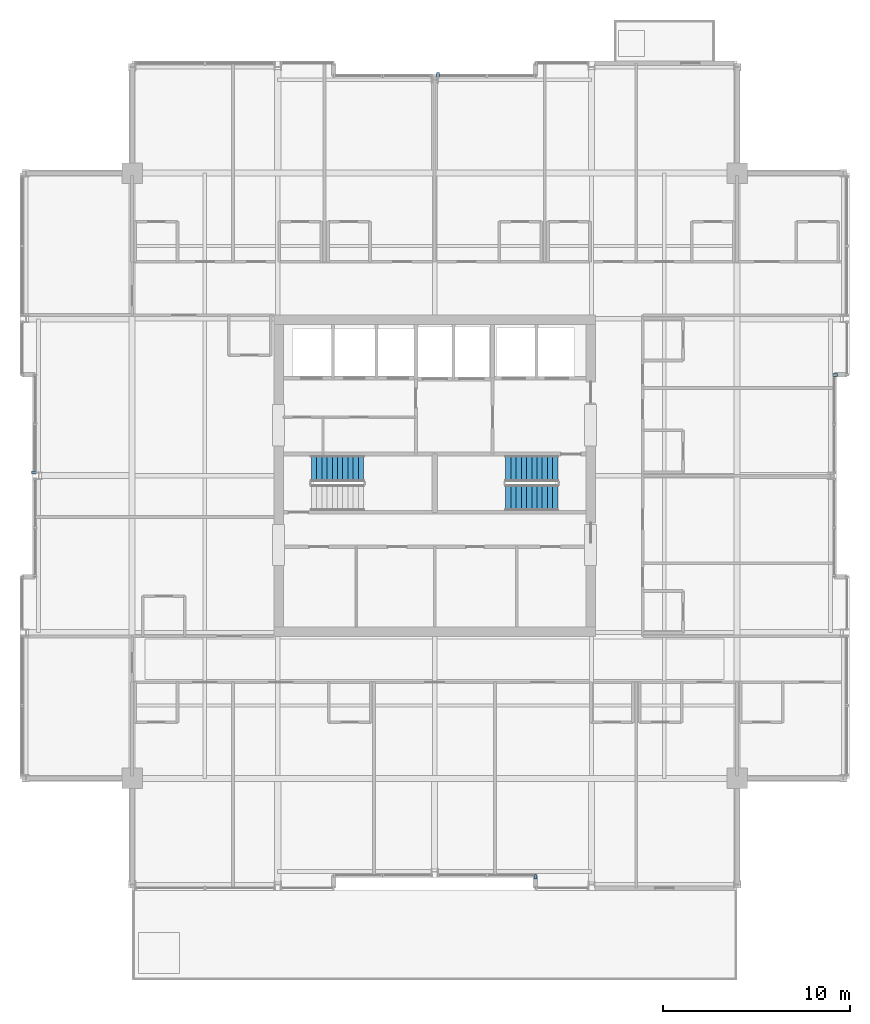
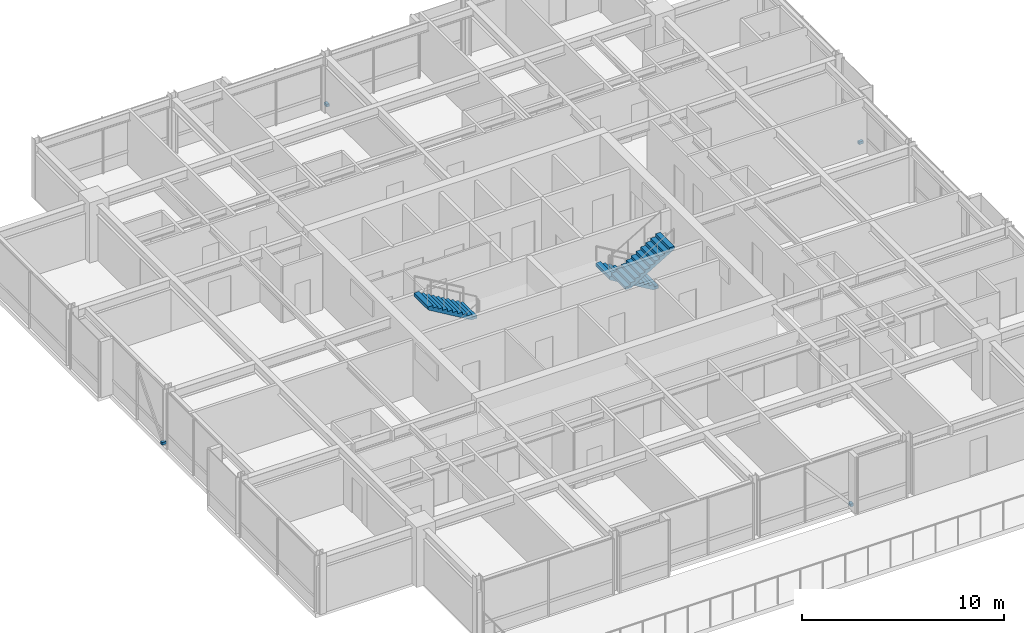
# One storey, part 29 of 32: 4 discrete accessories, 3 stair flights, 2 elements without a shape of their own.
"""IFC4 building model written with IfcOpenShell, lengths in metres."""

from ifc_helpers import new_model, si_unit, direction, frame, origin, origin_2d, place, context, subcontext, project, spatial, polyline, rectangle, outline, extrude, material, type_object, element, aggregate, save


model = new_model("IFC4")

# Units and contexts
model_context = context("Model", 3, precision=1e-05, world=origin(), true_north=direction((0.0, 1.0)))
body_context = subcontext(model_context, "Body", "Model", "MODEL_VIEW")
ifc_project = project(units=[si_unit("LENGTHUNIT", "METRE"), si_unit("AREAUNIT", "SQUARE_METRE"), si_unit("VOLUMEUNIT", "CUBIC_METRE"), si_unit("PLANEANGLEUNIT", "RADIAN"), si_unit("MASSUNIT", "GRAM", prefix="KILO")], contexts=[model_context])

# Site, building, storey
site_placement = place(None, origin())
site = spatial("IfcSite", under=ifc_project, at=site_placement, CompositionType="ELEMENT")
building_placement = place(site_placement, origin())
building = spatial("IfcBuilding", under=site, at=building_placement, Name="Drelvath Grand Hotel", CompositionType="ELEMENT")
storey_placement = place(building_placement, frame((0.0, 0.0, 265.0)))
storey = spatial("IfcBuildingStorey", under=building, at=storey_placement, Name="L69", CompositionType="ELEMENT", Elevation=265.0)

# Stair, stair flight
ifc_material_1 = material(Name="Concrete C40/50", Category="concrete")
stair_type = type_object("IfcStairType", Name="Dogleg Exit Stair W1400-R165.9", PredefinedType="HALF_TURN_STAIR", material=ifc_material_1)
stair_1_placement = place(storey_placement, origin())
stair_1 = element("IfcStair", 1, at=stair_1_placement, inside=storey, type_object=stair_type, Name="L69 Core Exit Stair ST-1", PredefinedType="HALF_TURN_STAIR")
stair_flight_type = type_object("IfcStairFlightType", Name="Concrete Stair Flight W1400-R165.9", PredefinedType="STRAIGHT", material=ifc_material_1)
stair_flight_1_placement = place(storey_placement, frame((-3.800048828125, 27.3798828125, 1.824951171875), z_axis=(0.0, 0.0, 1.0), x_axis=(-1.0, 0.0, 0.0)))
stair_flight_1 = element("IfcStairFlight", 2, at=stair_flight_1_placement, type_object=stair_flight_type, Name="ST-1 flight 2", NumberOfRisers=11, NumberOfTreads=10, PredefinedType="STRAIGHT", RiserHeight=0.165909091, TreadLength=0.28, context=body_context, shape_type="SweptSolid", body=[
    extrude(outline(polyline([(0.0, 0.0), (0.0, 0.166015625), (0.280029296875, 0.166015625), (0.280029296875, 0.331787109375), (0.56005859375, 0.331787109375), (0.56005859375, 0.497802734375), (0.840087890625, 0.497802734375), (0.840087890625, 0.66357421875), (1.1201171875, 0.66357421875), (1.1201171875, 0.82958984375), (1.39990234375, 0.82958984375), (1.39990234375, 0.995361328125), (1.679931640625, 0.995361328125), (1.679931640625, 1.161376953125), (1.9599609375, 1.161376953125), (1.9599609375, 1.327392578125), (2.239990234375, 1.327392578125), (2.239990234375, 1.4931640625), (2.52001953125, 1.4931640625), (2.52001953125, 1.6591796875), (2.800048828125, 1.6591796875), (2.800048828125, 1.824951171875), (2.800048828125, 1.47314453125), (0.313720703125, 0.0), (0.0, 0.0)])), frame((0.0, 0.699951171875, 0.0), z_axis=(0.0, -1.0, 0.0), x_axis=(1.0, 0.0, 0.0)), (0.0, 0.0, 1.0), 1.39990234375),
])
aggregate(stair_1, [stair_flight_1])

# Stair, stair flights
stair_2_placement = place(storey_placement, origin())
stair_2 = element("IfcStair", 3, at=stair_2_placement, inside=storey, type_object=stair_type, Name="L69 Core Exit Stair ST-2", PredefinedType="HALF_TURN_STAIR")
stair_flight_2_placement = place(storey_placement, frame((6.60009765625, 27.3798828125, 0.0), z_axis=(0.0, 0.0, 1.0), x_axis=(-1.0, 0.0, 0.0)))
stair_flight_2 = element("IfcStairFlight", 4, at=stair_flight_2_placement, type_object=stair_flight_type, Name="ST-2 flight 1", NumberOfRisers=11, NumberOfTreads=10, PredefinedType="STRAIGHT", RiserHeight=0.165909091, TreadLength=0.28, context=body_context, shape_type="SweptSolid", body=[
    extrude(outline(polyline([(0.0, 0.0), (0.0, 0.166015625), (0.280029296875, 0.166015625), (0.280029296875, 0.331787109375), (0.56005859375, 0.331787109375), (0.56005859375, 0.497802734375), (0.840087890625, 0.497802734375), (0.840087890625, 0.66357421875), (1.1201171875, 0.66357421875), (1.1201171875, 0.82958984375), (1.39990234375, 0.82958984375), (1.39990234375, 0.995361328125), (1.679931640625, 0.995361328125), (1.679931640625, 1.161376953125), (1.9599609375, 1.161376953125), (1.9599609375, 1.327392578125), (2.239990234375, 1.327392578125), (2.239990234375, 1.4931640625), (2.52001953125, 1.4931640625), (2.52001953125, 1.6591796875), (2.800048828125, 1.6591796875), (2.800048828125, 1.824951171875), (2.800048828125, 1.47314453125), (0.313720703125, 0.0), (0.0, 0.0)])), frame((0.0, 0.699951171875, 0.0), z_axis=(0.0, -1.0, 0.0), x_axis=(1.0, 0.0, 0.0)), (0.0, 0.0, 1.0), 1.39990234375),
])
stair_flight_3_placement = place(storey_placement, frame((3.800048828125, 25.820068359375, 1.824951171875), z_axis=(0.0, 0.0, 1.0), x_axis=(1.0, 0.0, 0.0)))
stair_flight_3 = element("IfcStairFlight", 5, at=stair_flight_3_placement, type_object=stair_flight_type, Name="ST-2 flight 2", NumberOfRisers=11, NumberOfTreads=10, PredefinedType="STRAIGHT", RiserHeight=0.165909091, TreadLength=0.28, context=body_context, shape_type="SweptSolid", body=[
    extrude(outline(polyline([(0.0, 0.0), (0.0, 0.166015625), (0.280029296875, 0.166015625), (0.280029296875, 0.331787109375), (0.56005859375, 0.331787109375), (0.56005859375, 0.497802734375), (0.840087890625, 0.497802734375), (0.840087890625, 0.66357421875), (1.1201171875, 0.66357421875), (1.1201171875, 0.82958984375), (1.39990234375, 0.82958984375), (1.39990234375, 0.995361328125), (1.679931640625, 0.995361328125), (1.679931640625, 1.161376953125), (1.9599609375, 1.161376953125), (1.9599609375, 1.327392578125), (2.239990234375, 1.327392578125), (2.239990234375, 1.4931640625), (2.52001953125, 1.4931640625), (2.52001953125, 1.6591796875), (2.800048828125, 1.6591796875), (2.800048828125, 1.824951171875), (2.800048828125, 1.47314453125), (0.313720703125, 0.0), (0.0, 0.0)])), frame((0.0, 0.699951171875, 0.0), z_axis=(0.0, -1.0, 0.0), x_axis=(1.0, 0.0, 0.0)), (0.0, 0.0, 1.0), 1.39990234375),
])
aggregate(stair_2, [stair_flight_2, stair_flight_3])

# Discrete accessories
ifc_material_2 = material(Name="Stainless Steel Grade 316", Category="steel")
discrete_accessory_type = type_object("IfcDiscreteAccessoryType", Name="Curtain Wall Fin Mounting Bracket Cleat", PredefinedType="BRACKET", material=ifc_material_2)
for number, where, z_axis, x_axis, name in (
    (6, (-21.4599609375, 27.17822265625, 0.10009765625), (0.0, 0.0, 1.0), (0.0, 1.0, 0.0), "L69 Fin Mounting Bracket CW05-L69-WM2-1"),
    (7, (21.4599609375, 32.39990234375, 0.10009765625), (0.0, 0.0, 1.0), (0.0, -1.0, 0.0), "L69 Fin Mounting Bracket CW05-L69-EM2-1"),
    (8, (0.17822265625, 48.4599609375, 0.10009765625), (0.0, 0.0, 1.0), (1.0, 0.0, 0.0), "L69 Fin Mounting Bracket CW05-L69-NM2-1"),
    (9, (5.39990234375, 5.5400390625, 0.10009765625), (0.0, 0.0, 1.0), (-1.0, 0.0, 0.0), "L69 Fin Mounting Bracket CW05-L69-SM2-1"),
):
    element("IfcDiscreteAccessory", number, at=place(storey_placement, frame(where, z_axis=z_axis, x_axis=x_axis)), inside=storey, type_object=discrete_accessory_type, Name=name, PredefinedType="BRACKET", context=body_context, shape_type="SweptSolid", body=[
        extrude(rectangle(XDim=0.159912109375, YDim=0.239990234375, at=origin_2d()), origin(), (0.0, 0.0, 1.0), 0.159912109375),
    ])

save(model, "model.ifc")
